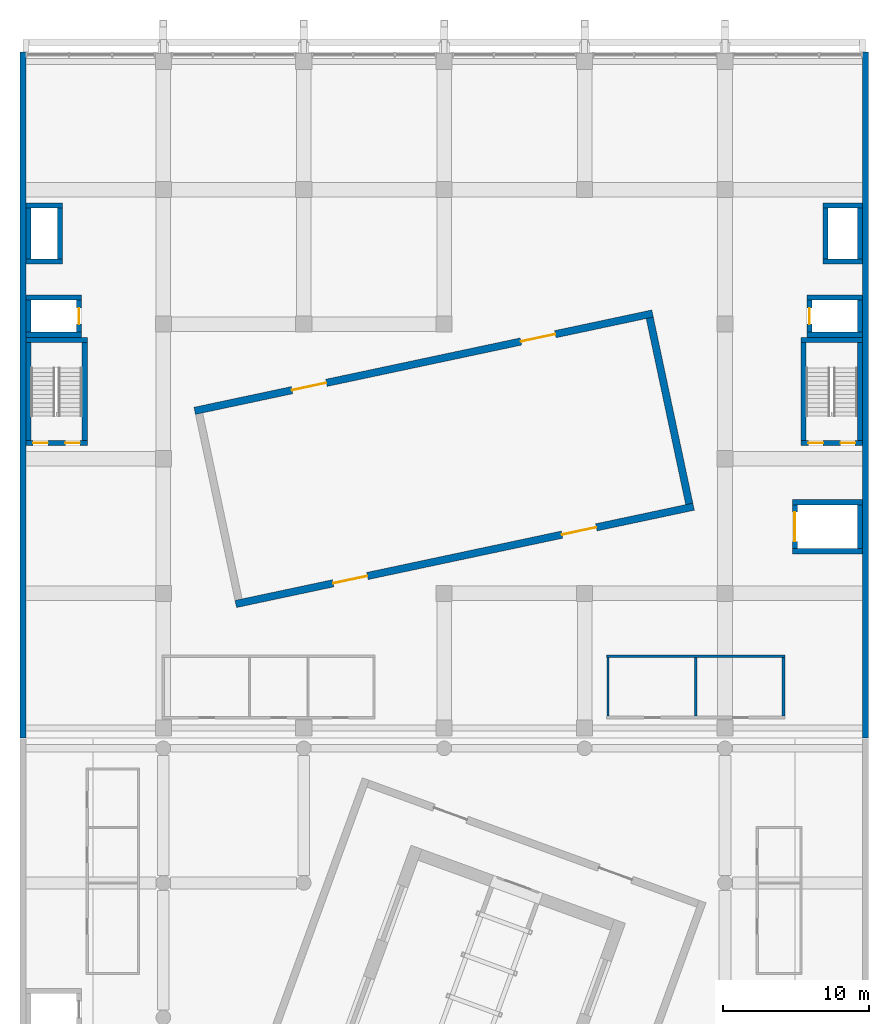
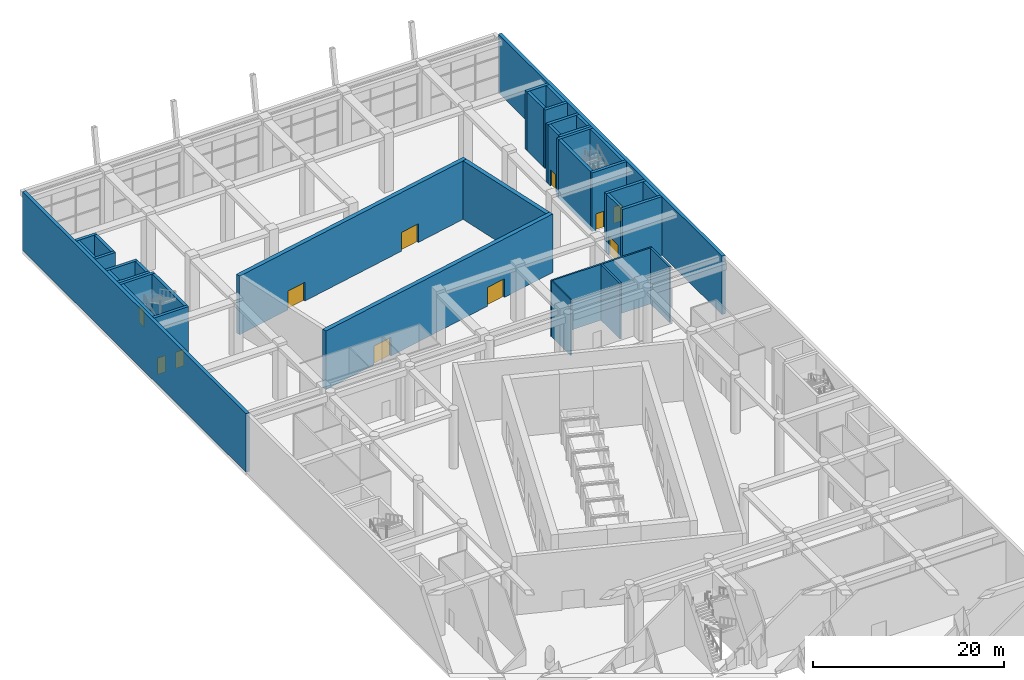
# One storey, part 19 of 36: 37 walls, 11 doors, 11 openings.
"""IFC4 building model written with IfcOpenShell, lengths in metres."""

from ifc_helpers import new_model, si_unit, direction, frame, frame_2d, origin, place, context, subcontext, project, spatial, rectangle, extrude, material, layer, layer_set, type_object, element, fill, save


model = new_model("IFC4")

# Units and contexts
model_context = context("Model", 3, precision=1e-05, world=origin(), true_north=direction((0.0, 1.0)))
body_context = subcontext(model_context, "Body", "Model", "MODEL_VIEW")
ifc_project = project(units=[si_unit("LENGTHUNIT", "METRE"), si_unit("AREAUNIT", "SQUARE_METRE"), si_unit("VOLUMEUNIT", "CUBIC_METRE"), si_unit("PLANEANGLEUNIT", "RADIAN"), si_unit("MASSUNIT", "GRAM", prefix="KILO")], contexts=[model_context])

# Site, building, storey
site_placement = place(None, origin())
site = spatial("IfcSite", under=ifc_project, at=site_placement, CompositionType="ELEMENT")
building_placement = place(site_placement, origin())
building = spatial("IfcBuilding", under=site, at=building_placement, Name="Nzadi Deep Aquarium and Research Tower", CompositionType="ELEMENT")
storey_placement = place(building_placement, frame((0.0, 0.0, 14.199951171875)))
storey = spatial("IfcBuildingStorey", under=building, at=storey_placement, Name="L02", CompositionType="ELEMENT", Elevation=14.199951171875)

# Walls
ifc_material_1 = material(Name="Blockwork masonry", Category="masonry")
ifc_layer_1 = layer(ifc_material_1, 0.14990234375)
ifc_layer_set_1 = layer_set([ifc_layer_1], Name="Blockwork masonry")
wall_type_1 = type_object("IfcWallType", Name="Partition 150 EI 60", PredefinedType="PARTITIONING", material=ifc_layer_set_1)
wall_1_placement = place(storey_placement, frame((40.0, 95.60009765625, 0.0), z_axis=(0.0, 0.0, 1.0), x_axis=(0.0, 1.0, 0.0)))
element("IfcWall", 1, at=wall_1_placement, inside=storey, type_object=wall_type_1, Name="W-Z3-L02-P009", PredefinedType="PARTITIONING", context=body_context, shape_type="SweptSolid", body=[
    extrude(rectangle(XDim=4.0, YDim=0.14990234375, at=frame_2d((2.0, 0.0))), origin(), (0.0, 0.0, 1.0), 7.150146484375),
])
ifc_material_2 = material(Name="Blockwork masonry", Category="masonry")
ifc_layer_2 = layer(ifc_material_2, 0.199951171875)
ifc_layer_set_2 = layer_set([ifc_layer_2], Name="Blockwork masonry")
wall_type_2 = type_object("IfcWallType", Name="Partition 200 EI 120", PredefinedType="PARTITIONING", material=ifc_layer_set_2)
wall_2_placement = place(storey_placement, frame((39.89990234375, 99.699951171875, 0.0), z_axis=(0.0, 0.0, 1.0), x_axis=(1.0, 0.0, 0.0)))
element("IfcWall", 2, at=wall_2_placement, inside=storey, type_object=wall_type_2, Name="W-Z3-L02-P008", PredefinedType="PARTITIONING", context=body_context, shape_type="SweptSolid", body=[
    extrude(rectangle(XDim=12.2001953125, YDim=0.199951171875, at=frame_2d((6.10009765625, 0.0))), origin(), (0.0, 0.0, 1.0), 7.150146484375),
])
for number, where, z_axis, x_axis, name in (
    (3, (46.0, 95.60009765625, 0.0), (0.0, 0.0, 1.0), (0.0, 1.0, 0.0), "W-Z3-L02-P010"),
    (4, (52.0, 95.60009765625, 0.0), (0.0, 0.0, 1.0), (0.0, 1.0, 0.0), "W-Z3-L02-P011"),
):
    element("IfcWall", number, at=place(storey_placement, frame(where, z_axis=z_axis, x_axis=x_axis)), inside=storey, type_object=wall_type_2, Name=name, PredefinedType="PARTITIONING", context=body_context, shape_type="SweptSolid", body=[
        extrude(rectangle(XDim=4.0, YDim=0.199951171875, at=frame_2d((2.0, 0.0))), origin(), (0.0, 0.0, 1.0), 7.150146484375),
    ])

# Wall, openings, doors
ifc_material_3 = material(Name="Concrete C35/45", Category="concrete")
ifc_layer_3 = layer(ifc_material_3, 0.35009765625)
ifc_layer_set_3 = layer_set([ifc_layer_3], Name="Concrete C35/45")
wall_type_3 = type_object("IfcWallType", Name="RC core wall 350, 7.50 to 7.70 m high", PredefinedType="SHEAR", material=ifc_layer_set_3)
wall_3_placement = place(storey_placement, frame((0.199951171875, 114.27490234375, 0.0), z_axis=(0.0, 0.0, 1.0), x_axis=(1.0, 0.0, 0.0)))
wall_3 = element("IfcWall", 5, at=wall_3_placement, inside=storey, type_object=wall_type_3, Name="W-CORE-ST-Z3-W-L02-S", PredefinedType="SHEAR", context=body_context, shape_type="SweptSolid", body=[
    extrude(rectangle(XDim=4.199951171875, YDim=0.35009765625, at=frame_2d((2.10009765625, 0.0))), origin(), (0.0, 0.0, 1.0), 7.5),
])
opening_1_placement = place(wall_3_placement, frame((0.5, 0.0, 0.0)))
opening_1 = element("IfcOpeningElement", 6, at=opening_1_placement, cuts=wall_3, Name="Opening DS-Z3-W-L02A", PredefinedType="OPENING", context=body_context, shape_type="SweptSolid", body=[
    extrude(rectangle(XDim=1.0, YDim=2.10009765625, at=frame_2d((0.5, 1.050048828125))), frame((0.0, 0.18505859375, 0.0), z_axis=(0.0, -1.0, 0.0), x_axis=(1.0, 0.0, 0.0)), (0.0, 0.0, 1.0), 0.3701171875),
])
opening_2_placement = place(wall_3_placement, frame((2.699951171875, 0.0, 0.0)))
opening_2 = element("IfcOpeningElement", 7, at=opening_2_placement, cuts=wall_3, Name="Opening DS-Z3-W-L02B", PredefinedType="OPENING", context=body_context, shape_type="SweptSolid", body=[
    extrude(rectangle(XDim=1.0, YDim=2.10009765625, at=frame_2d((0.5, 1.050048828125))), frame((0.0, 0.18505859375, 0.0), z_axis=(0.0, -1.0, 0.0), x_axis=(1.0, 0.0, 0.0)), (0.0, 0.0, 1.0), 0.3701171875),
])
ifc_material_4 = material(Name="Steel, powder coated", Category="steel")
door_type_1 = type_object("IfcDoorType", Name="STAIR DOOR 1000x2100 EI 60", OperationType="SINGLE_SWING_LEFT", PredefinedType="DOOR", material=ifc_material_4)
door_1_placement = place(opening_1_placement, origin())
door_1 = element("IfcDoor", 8, at=door_1_placement, inside=storey, type_object=door_type_1, Name="Stair door ST-Z3-W L02 A", OperationType="SINGLE_SWING_RIGHT", OverallHeight=2.10009765625, OverallWidth=1.0, PredefinedType="DOOR", context=body_context, shape_type="SweptSolid", body=[
    extrude(rectangle(XDim=1.0, YDim=2.10009765625, at=frame_2d((0.5, 1.050048828125))), frame((0.0, 0.02490234375, 0.0), z_axis=(0.0, -1.0, 0.0), x_axis=(1.0, 0.0, 0.0)), (0.0, 0.0, 1.0), 0.050048828125),
])
fill(opening_1, door_1)
door_2_placement = place(opening_2_placement, origin())
door_2 = element("IfcDoor", 9, at=door_2_placement, inside=storey, type_object=door_type_1, Name="Stair door ST-Z3-W L02 B", OperationType="SINGLE_SWING_LEFT", OverallHeight=2.10009765625, OverallWidth=1.0, PredefinedType="DOOR", context=body_context, shape_type="SweptSolid", body=[
    extrude(rectangle(XDim=1.0, YDim=2.10009765625, at=frame_2d((0.5, 1.050048828125))), frame((0.0, 0.02490234375, 0.0), z_axis=(0.0, -1.0, 0.0), x_axis=(1.0, 0.0, 0.0)), (0.0, 0.0, 1.0), 0.050048828125),
])
fill(opening_2, door_2)

# Walls
wall_4_placement = place(storey_placement, frame((0.199951171875, 121.324951171875, 0.0), z_axis=(0.0, 0.0, 1.0), x_axis=(1.0, 0.0, 0.0)))
element("IfcWall", 10, at=wall_4_placement, inside=storey, type_object=wall_type_3, Name="W-CORE-ST-Z3-W-L02-N", PredefinedType="SHEAR", context=body_context, shape_type="SweptSolid", body=[
    extrude(rectangle(XDim=4.199951171875, YDim=0.35009765625, at=frame_2d((2.10009765625, 0.0))), origin(), (0.0, 0.0, 1.0), 7.5),
])
for number, where, z_axis, x_axis, name in (
    (11, (0.375, 114.449951171875, 0.0), (0.0, 0.0, 1.0), (0.0, 1.0, 0.0), "W-CORE-ST-Z3-W-L02-W"),
    (12, (4.22509765625, 114.449951171875, 0.0), (0.0, 0.0, 1.0), (0.0, 1.0, 0.0), "W-CORE-ST-Z3-W-L02-E"),
):
    element("IfcWall", number, at=place(storey_placement, frame(where, z_axis=z_axis, x_axis=x_axis)), inside=storey, type_object=wall_type_3, Name=name, PredefinedType="SHEAR", context=body_context, shape_type="SweptSolid", body=[
        extrude(rectangle(XDim=6.699951171875, YDim=0.35009765625, at=frame_2d((3.35009765625, 0.0))), origin(), (0.0, 0.0, 1.0), 7.5),
    ])

# Wall, openings, doors
wall_5_placement = place(storey_placement, frame((53.199951171875, 114.27490234375, 0.0), z_axis=(0.0, 0.0, 1.0), x_axis=(1.0, 0.0, 0.0)))
wall_5 = element("IfcWall", 13, at=wall_5_placement, inside=storey, type_object=wall_type_3, Name="W-CORE-ST-Z3-E-L02-S", PredefinedType="SHEAR", context=body_context, shape_type="SweptSolid", body=[
    extrude(rectangle(XDim=4.199951171875, YDim=0.35009765625, at=frame_2d((2.10009765625, 0.0))), origin(), (0.0, 0.0, 1.0), 7.5),
])
opening_3_placement = place(wall_5_placement, frame((0.5, 0.0, 0.0)))
opening_3 = element("IfcOpeningElement", 14, at=opening_3_placement, cuts=wall_5, Name="Opening DS-Z3-E-L02A", PredefinedType="OPENING", context=body_context, shape_type="SweptSolid", body=[
    extrude(rectangle(XDim=1.0, YDim=2.10009765625, at=frame_2d((0.5, 1.050048828125))), frame((0.0, 0.18505859375, 0.0), z_axis=(0.0, -1.0, 0.0), x_axis=(1.0, 0.0, 0.0)), (0.0, 0.0, 1.0), 0.3701171875),
])
opening_4_placement = place(wall_5_placement, frame((2.699951171875, 0.0, 0.0)))
opening_4 = element("IfcOpeningElement", 15, at=opening_4_placement, cuts=wall_5, Name="Opening DS-Z3-E-L02B", PredefinedType="OPENING", context=body_context, shape_type="SweptSolid", body=[
    extrude(rectangle(XDim=1.0, YDim=2.10009765625, at=frame_2d((0.5, 1.050048828125))), frame((0.0, 0.18505859375, 0.0), z_axis=(0.0, -1.0, 0.0), x_axis=(1.0, 0.0, 0.0)), (0.0, 0.0, 1.0), 0.3701171875),
])
door_3_placement = place(opening_3_placement, origin())
door_3 = element("IfcDoor", 16, at=door_3_placement, inside=storey, type_object=door_type_1, Name="Stair door ST-Z3-E L02 A", OperationType="SINGLE_SWING_RIGHT", OverallHeight=2.10009765625, OverallWidth=1.0, PredefinedType="DOOR", context=body_context, shape_type="SweptSolid", body=[
    extrude(rectangle(XDim=1.0, YDim=2.10009765625, at=frame_2d((0.5, 1.050048828125))), frame((0.0, 0.02490234375, 0.0), z_axis=(0.0, -1.0, 0.0), x_axis=(1.0, 0.0, 0.0)), (0.0, 0.0, 1.0), 0.050048828125),
])
fill(opening_3, door_3)
door_4_placement = place(opening_4_placement, origin())
door_4 = element("IfcDoor", 17, at=door_4_placement, inside=storey, type_object=door_type_1, Name="Stair door ST-Z3-E L02 B", OperationType="SINGLE_SWING_LEFT", OverallHeight=2.10009765625, OverallWidth=1.0, PredefinedType="DOOR", context=body_context, shape_type="SweptSolid", body=[
    extrude(rectangle(XDim=1.0, YDim=2.10009765625, at=frame_2d((0.5, 1.050048828125))), frame((0.0, 0.02490234375, 0.0), z_axis=(0.0, -1.0, 0.0), x_axis=(1.0, 0.0, 0.0)), (0.0, 0.0, 1.0), 0.050048828125),
])
fill(opening_4, door_4)

# Walls
wall_6_placement = place(storey_placement, frame((53.199951171875, 121.324951171875, 0.0), z_axis=(0.0, 0.0, 1.0), x_axis=(1.0, 0.0, 0.0)))
element("IfcWall", 18, at=wall_6_placement, inside=storey, type_object=wall_type_3, Name="W-CORE-ST-Z3-E-L02-N", PredefinedType="SHEAR", context=body_context, shape_type="SweptSolid", body=[
    extrude(rectangle(XDim=4.199951171875, YDim=0.35009765625, at=frame_2d((2.10009765625, 0.0))), origin(), (0.0, 0.0, 1.0), 7.5),
])
for number, where, z_axis, x_axis, name in (
    (19, (53.375, 114.449951171875, 0.0), (0.0, 0.0, 1.0), (0.0, 1.0, 0.0), "W-CORE-ST-Z3-E-L02-W"),
    (20, (57.22509765625, 114.449951171875, 0.0), (0.0, 0.0, 1.0), (0.0, 1.0, 0.0), "W-CORE-ST-Z3-E-L02-E"),
):
    element("IfcWall", number, at=place(storey_placement, frame(where, z_axis=z_axis, x_axis=x_axis)), inside=storey, type_object=wall_type_3, Name=name, PredefinedType="SHEAR", context=body_context, shape_type="SweptSolid", body=[
        extrude(rectangle(XDim=6.699951171875, YDim=0.35009765625, at=frame_2d((3.35009765625, 0.0))), origin(), (0.0, 0.0, 1.0), 7.5),
    ])
for number, where, z_axis, x_axis, name in (
    (21, (0.199951171875, 121.675048828125, 0.0), (0.0, 0.0, 1.0), (1.0, 0.0, 0.0), "W-CORE-PL5-L02-S"),
    (22, (0.199951171875, 124.22509765625, 0.0), (0.0, 0.0, 1.0), (1.0, 0.0, 0.0), "W-CORE-PL5-L02-N"),
):
    element("IfcWall", number, at=place(storey_placement, frame(where, z_axis=z_axis, x_axis=x_axis)), inside=storey, type_object=wall_type_3, Name=name, PredefinedType="SHEAR", context=body_context, shape_type="SweptSolid", body=[
        extrude(rectangle(XDim=3.800048828125, YDim=0.35009765625, at=frame_2d((1.89990234375, 0.0))), origin(), (0.0, 0.0, 1.0), 7.5),
    ])
wall_7_placement = place(storey_placement, frame((0.375, 121.85009765625, 0.0), z_axis=(0.0, 0.0, 1.0), x_axis=(0.0, 1.0, 0.0)))
element("IfcWall", 23, at=wall_7_placement, inside=storey, type_object=wall_type_3, Name="W-CORE-PL5-L02-W", PredefinedType="SHEAR", context=body_context, shape_type="SweptSolid", body=[
    extrude(rectangle(XDim=2.199951171875, YDim=0.35009765625, at=frame_2d((1.10009765625, 0.0))), origin(), (0.0, 0.0, 1.0), 7.5),
])

# Wall, opening, door
wall_8_placement = place(storey_placement, frame((3.824951171875, 121.85009765625, 0.0), z_axis=(0.0, 0.0, 1.0), x_axis=(0.0, 1.0, 0.0)))
wall_8 = element("IfcWall", 24, at=wall_8_placement, inside=storey, type_object=wall_type_3, Name="W-CORE-PL5-L02-E", PredefinedType="SHEAR", context=body_context, shape_type="SweptSolid", body=[
    extrude(rectangle(XDim=2.199951171875, YDim=0.35009765625, at=frame_2d((1.10009765625, 0.0))), origin(), (0.0, 0.0, 1.0), 7.5),
])
opening_5_placement = place(wall_8_placement, frame((0.550048828125, 0.0, 0.0)))
opening_5 = element("IfcOpeningElement", 25, at=opening_5_placement, cuts=wall_8, Name="Opening LD-PL5-L02", PredefinedType="OPENING", context=body_context, shape_type="SweptSolid", body=[
    extrude(rectangle(XDim=1.10009765625, YDim=2.10009765625, at=frame_2d((0.550048828125, 1.050048828125))), frame((0.0, 0.18505859375, 0.0), z_axis=(0.0, -1.0, 0.0), x_axis=(1.0, 0.0, 0.0)), (0.0, 0.0, 1.0), 0.3701171875),
])
ifc_material_5 = material(Name="Stainless steel 1.4301", Category="steel")
door_type_2 = type_object("IfcDoorType", Name="LANDING DOOR 1100x2100", OperationType="DOUBLE_DOOR_SLIDING", PredefinedType="DOOR", material=ifc_material_5)
door_5_placement = place(opening_5_placement, origin())
door_5 = element("IfcDoor", 26, at=door_5_placement, inside=storey, type_object=door_type_2, Name="Landing door PL5 L02", OperationType="DOUBLE_DOOR_SLIDING", OverallHeight=2.10009765625, OverallWidth=1.10009765625, PredefinedType="DOOR", context=body_context, shape_type="SweptSolid", body=[
    extrude(rectangle(XDim=1.10009765625, YDim=2.10009765625, at=frame_2d((0.550048828125, 1.050048828125))), frame((0.0, 0.02490234375, 0.0), z_axis=(0.0, -1.0, 0.0), x_axis=(1.0, 0.0, 0.0)), (0.0, 0.0, 1.0), 0.050048828125),
])
fill(opening_5, door_5)

# Walls
for number, where, z_axis, x_axis, name in (
    (27, (53.60009765625, 121.675048828125, 0.0), (0.0, 0.0, 1.0), (1.0, 0.0, 0.0), "W-CORE-PL6-L02-S"),
    (28, (53.60009765625, 124.22509765625, 0.0), (0.0, 0.0, 1.0), (1.0, 0.0, 0.0), "W-CORE-PL6-L02-N"),
):
    element("IfcWall", number, at=place(storey_placement, frame(where, z_axis=z_axis, x_axis=x_axis)), inside=storey, type_object=wall_type_3, Name=name, PredefinedType="SHEAR", context=body_context, shape_type="SweptSolid", body=[
        extrude(rectangle(XDim=3.7998046875, YDim=0.35009765625, at=frame_2d((1.89990234375, 0.0))), origin(), (0.0, 0.0, 1.0), 7.5),
    ])

# Wall, opening, door
wall_9_placement = place(storey_placement, frame((53.77490234375, 121.85009765625, 0.0), z_axis=(0.0, 0.0, 1.0), x_axis=(0.0, 1.0, 0.0)))
wall_9 = element("IfcWall", 29, at=wall_9_placement, inside=storey, type_object=wall_type_3, Name="W-CORE-PL6-L02-W", PredefinedType="SHEAR", context=body_context, shape_type="SweptSolid", body=[
    extrude(rectangle(XDim=2.199951171875, YDim=0.35009765625, at=frame_2d((1.10009765625, 0.0))), origin(), (0.0, 0.0, 1.0), 7.5),
])
opening_6_placement = place(wall_9_placement, frame((0.550048828125, 0.0, 0.0)))
opening_6 = element("IfcOpeningElement", 30, at=opening_6_placement, cuts=wall_9, Name="Opening LD-PL6-L02", PredefinedType="OPENING", context=body_context, shape_type="SweptSolid", body=[
    extrude(rectangle(XDim=1.10009765625, YDim=2.10009765625, at=frame_2d((0.550048828125, 1.050048828125))), frame((0.0, 0.18505859375, 0.0), z_axis=(0.0, -1.0, 0.0), x_axis=(1.0, 0.0, 0.0)), (0.0, 0.0, 1.0), 0.3701171875),
])
door_6_placement = place(opening_6_placement, origin())
door_6 = element("IfcDoor", 31, at=door_6_placement, inside=storey, type_object=door_type_2, Name="Landing door PL6 L02", OperationType="DOUBLE_DOOR_SLIDING", OverallHeight=2.10009765625, OverallWidth=1.10009765625, PredefinedType="DOOR", context=body_context, shape_type="SweptSolid", body=[
    extrude(rectangle(XDim=1.10009765625, YDim=2.10009765625, at=frame_2d((0.550048828125, 1.050048828125))), frame((0.0, 0.02490234375, 0.0), z_axis=(0.0, -1.0, 0.0), x_axis=(1.0, 0.0, 0.0)), (0.0, 0.0, 1.0), 0.050048828125),
])
fill(opening_6, door_6)

# Walls
wall_10_placement = place(storey_placement, frame((57.22509765625, 121.85009765625, 0.0), z_axis=(0.0, 0.0, 1.0), x_axis=(0.0, 1.0, 0.0)))
element("IfcWall", 32, at=wall_10_placement, inside=storey, type_object=wall_type_3, Name="W-CORE-PL6-L02-E", PredefinedType="SHEAR", context=body_context, shape_type="SweptSolid", body=[
    extrude(rectangle(XDim=2.199951171875, YDim=0.35009765625, at=frame_2d((1.10009765625, 0.0))), origin(), (0.0, 0.0, 1.0), 7.5),
])
for number, where, z_axis, x_axis, name in (
    (33, (52.60009765625, 106.875, 0.0), (0.0, 0.0, 1.0), (1.0, 0.0, 0.0), "W-CORE-GL2-L02-S"),
    (34, (52.60009765625, 110.22509765625, 0.0), (0.0, 0.0, 1.0), (1.0, 0.0, 0.0), "W-CORE-GL2-L02-N"),
):
    element("IfcWall", number, at=place(storey_placement, frame(where, z_axis=z_axis, x_axis=x_axis)), inside=storey, type_object=wall_type_3, Name=name, PredefinedType="SHEAR", context=body_context, shape_type="SweptSolid", body=[
        extrude(rectangle(XDim=4.7998046875, YDim=0.35009765625, at=frame_2d((2.39990234375, 0.0))), origin(), (0.0, 0.0, 1.0), 7.5),
    ])

# Wall, opening, door
wall_11_placement = place(storey_placement, frame((52.77490234375, 107.050048828125, 0.0), z_axis=(0.0, 0.0, 1.0), x_axis=(0.0, 1.0, 0.0)))
wall_11 = element("IfcWall", 35, at=wall_11_placement, inside=storey, type_object=wall_type_3, Name="W-CORE-GL2-L02-W", PredefinedType="SHEAR", context=body_context, shape_type="SweptSolid", body=[
    extrude(rectangle(XDim=3.0, YDim=0.35009765625, at=frame_2d((1.5, 0.0))), origin(), (0.0, 0.0, 1.0), 7.5),
])
opening_7_placement = place(wall_11_placement, frame((0.5, 0.0, 0.0)))
opening_7 = element("IfcOpeningElement", 36, at=opening_7_placement, cuts=wall_11, Name="Opening LD-GL2-L02", PredefinedType="OPENING", context=body_context, shape_type="SweptSolid", body=[
    extrude(rectangle(XDim=2.0, YDim=2.39990234375, at=frame_2d((1.0, 1.199951171875))), frame((0.0, 0.18505859375, 0.0), z_axis=(0.0, -1.0, 0.0), x_axis=(1.0, 0.0, 0.0)), (0.0, 0.0, 1.0), 0.3701171875),
])
ifc_material_6 = material(Name="Stainless steel 1.4301", Category="steel")
door_type_3 = type_object("IfcDoorType", Name="LANDING DOOR 2000x2400", OperationType="DOUBLE_DOOR_SLIDING", PredefinedType="DOOR", material=ifc_material_6)
door_7_placement = place(opening_7_placement, origin())
door_7 = element("IfcDoor", 37, at=door_7_placement, inside=storey, type_object=door_type_3, Name="Landing door GL2 L02", OperationType="DOUBLE_DOOR_SLIDING", OverallHeight=2.39990234375, OverallWidth=2.0, PredefinedType="DOOR", context=body_context, shape_type="SweptSolid", body=[
    extrude(rectangle(XDim=2.0, YDim=2.39990234375, at=frame_2d((1.0, 1.199951171875))), frame((0.0, 0.02490234375, 0.0), z_axis=(0.0, -1.0, 0.0), x_axis=(1.0, 0.0, 0.0)), (0.0, 0.0, 1.0), 0.050048828125),
])
fill(opening_7, door_7)

# Walls
wall_12_placement = place(storey_placement, frame((57.22509765625, 107.050048828125, 0.0), z_axis=(0.0, 0.0, 1.0), x_axis=(0.0, 1.0, 0.0)))
element("IfcWall", 38, at=wall_12_placement, inside=storey, type_object=wall_type_3, Name="W-CORE-GL2-L02-E", PredefinedType="SHEAR", context=body_context, shape_type="SweptSolid", body=[
    extrude(rectangle(XDim=3.0, YDim=0.35009765625, at=frame_2d((1.5, 0.0))), origin(), (0.0, 0.0, 1.0), 7.5),
])
for number, where, z_axis, x_axis, name in (
    (39, (0.199951171875, 126.675048828125, 0.0), (0.0, 0.0, 1.0), (1.0, 0.0, 0.0), "W-CORE-RS-Z3-W-L02-S"),
    (40, (0.199951171875, 130.52490234375, 0.0), (0.0, 0.0, 1.0), (1.0, 0.0, 0.0), "W-CORE-RS-Z3-W-L02-N"),
):
    element("IfcWall", number, at=place(storey_placement, frame(where, z_axis=z_axis, x_axis=x_axis)), inside=storey, type_object=wall_type_3, Name=name, PredefinedType="SHEAR", context=body_context, shape_type="SweptSolid", body=[
        extrude(rectangle(XDim=2.5, YDim=0.35009765625, at=frame_2d((1.25, 0.0))), origin(), (0.0, 0.0, 1.0), 7.5),
    ])
for number, where, z_axis, x_axis, name in (
    (41, (0.375, 126.85009765625, 0.0), (0.0, 0.0, 1.0), (0.0, 1.0, 0.0), "W-CORE-RS-Z3-W-L02-W"),
    (42, (2.52490234375, 126.85009765625, 0.0), (0.0, 0.0, 1.0), (0.0, 1.0, 0.0), "W-CORE-RS-Z3-W-L02-E"),
):
    element("IfcWall", number, at=place(storey_placement, frame(where, z_axis=z_axis, x_axis=x_axis)), inside=storey, type_object=wall_type_3, Name=name, PredefinedType="SHEAR", context=body_context, shape_type="SweptSolid", body=[
        extrude(rectangle(XDim=3.5, YDim=0.35009765625, at=frame_2d((1.75, 0.0))), origin(), (0.0, 0.0, 1.0), 7.5),
    ])
for number, where, z_axis, x_axis, name in (
    (43, (54.699951171875, 126.675048828125, 0.0), (0.0, 0.0, 1.0), (1.0, 0.0, 0.0), "W-CORE-RS-Z3-E-L02-S"),
    (44, (54.699951171875, 130.52490234375, 0.0), (0.0, 0.0, 1.0), (1.0, 0.0, 0.0), "W-CORE-RS-Z3-E-L02-N"),
):
    element("IfcWall", number, at=place(storey_placement, frame(where, z_axis=z_axis, x_axis=x_axis)), inside=storey, type_object=wall_type_3, Name=name, PredefinedType="SHEAR", context=body_context, shape_type="SweptSolid", body=[
        extrude(rectangle(XDim=2.699951171875, YDim=0.35009765625, at=frame_2d((1.35009765625, 0.0))), origin(), (0.0, 0.0, 1.0), 7.5),
    ])
for number, where, z_axis, x_axis, name in (
    (45, (54.875, 126.85009765625, 0.0), (0.0, 0.0, 1.0), (0.0, 1.0, 0.0), "W-CORE-RS-Z3-E-L02-W"),
    (46, (57.22509765625, 126.85009765625, 0.0), (0.0, 0.0, 1.0), (0.0, 1.0, 0.0), "W-CORE-RS-Z3-E-L02-E"),
):
    element("IfcWall", number, at=place(storey_placement, frame(where, z_axis=z_axis, x_axis=x_axis)), inside=storey, type_object=wall_type_3, Name=name, PredefinedType="SHEAR", context=body_context, shape_type="SweptSolid", body=[
        extrude(rectangle(XDim=3.5, YDim=0.35009765625, at=frame_2d((1.75, 0.0))), origin(), (0.0, 0.0, 1.0), 7.5),
    ])

# Wall, openings, doors
ifc_material_7 = material(Name="Concrete C35/45", Category="concrete")
ifc_layer_4 = layer(ifc_material_7, 0.5)
ifc_layer_set_4 = layer_set([ifc_layer_4], Name="Concrete C35/45")
wall_type_4 = type_object("IfcWallType", Name="RC envelope wall 500", PredefinedType="SHEAR", material=ifc_layer_set_4)
wall_13_placement = place(storey_placement, frame((14.552978515625, 103.27099609375, 0.0), z_axis=(0.0, 0.0, 1.0), x_axis=(0.978148301511, 0.207908393895, 0.0)))
wall_13 = element("IfcWall", 47, at=wall_13_placement, inside=storey, type_object=wall_type_4, Name="W-BL-L02-S", PredefinedType="SHEAR", context=body_context, shape_type="SweptSolid", body=[
    extrude(rectangle(XDim=32.0, YDim=0.5, at=frame_2d((16.0, 0.0))), origin(), (0.0, 0.0, 1.0), 7.5),
])
opening_8_placement = place(wall_13_placement, frame((6.800048828125, 0.0, 0.0)))
opening_8 = element("IfcOpeningElement", 48, at=opening_8_placement, cuts=wall_13, Name="Opening D033006", PredefinedType="OPENING", context=body_context, shape_type="SweptSolid", body=[
    extrude(rectangle(XDim=2.39990234375, YDim=2.39990234375, at=frame_2d((1.199951171875, 1.199951171875))), frame((0.0, 0.260009765625, 0.0), z_axis=(0.0, -1.0, 0.0), x_axis=(1.0, 0.0, 0.0)), (0.0, 0.0, 1.0), 0.52001953125),
])
opening_9_placement = place(wall_13_placement, frame((22.800048828125, 0.0, 0.0)))
opening_9 = element("IfcOpeningElement", 49, at=opening_9_placement, cuts=wall_13, Name="Opening D033008", PredefinedType="OPENING", context=body_context, shape_type="SweptSolid", body=[
    extrude(rectangle(XDim=2.39990234375, YDim=2.39990234375, at=frame_2d((1.199951171875, 1.199951171875))), frame((0.0, 0.260009765625, 0.0), z_axis=(0.0, -1.0, 0.0), x_axis=(1.0, 0.0, 0.0)), (0.0, 0.0, 1.0), 0.52001953125),
])
ifc_material_8 = material(Name="Fire-rated steel door", Category="steel")
ifc_layer_5 = layer(ifc_material_8, 0.050048828125)
ifc_layer_set_5 = layer_set([ifc_layer_5], Name="Fire-rated steel door")
door_type_4 = type_object("IfcDoorType", Name="Door 2400x2400 EI 120 double", OperationType="DOUBLE_DOOR_SINGLE_SWING", PredefinedType="DOOR", material=ifc_layer_set_5)
door_8_placement = place(opening_8_placement, origin())
door_8 = element("IfcDoor", 50, at=door_8_placement, inside=storey, type_object=door_type_4, Name="D033006", OperationType="DOUBLE_DOOR_SINGLE_SWING", OverallHeight=2.39990234375, OverallWidth=2.39990234375, PredefinedType="DOOR", context=body_context, shape_type="SweptSolid", body=[
    extrude(rectangle(XDim=2.39990234375, YDim=2.39990234375, at=frame_2d((1.199951171875, 1.199951171875))), frame((0.0, 0.02490234375, 0.0), z_axis=(0.0, -1.0, 0.0), x_axis=(1.0, 0.0, 0.0)), (0.0, 0.0, 1.0), 0.050048828125),
])
fill(opening_8, door_8)
door_9_placement = place(opening_9_placement, origin())
door_9 = element("IfcDoor", 51, at=door_9_placement, inside=storey, type_object=door_type_4, Name="D033008", OperationType="DOUBLE_DOOR_SINGLE_SWING", OverallHeight=2.39990234375, OverallWidth=2.39990234375, PredefinedType="DOOR", context=body_context, shape_type="SweptSolid", body=[
    extrude(rectangle(XDim=2.39990234375, YDim=2.39990234375, at=frame_2d((1.199951171875, 1.199951171875))), frame((0.0, 0.02490234375, 0.0), z_axis=(0.0, -1.0, 0.0), x_axis=(1.0, 0.0, 0.0)), (0.0, 0.0, 1.0), 0.050048828125),
])
fill(opening_9, door_9)

wall_14_placement = place(storey_placement, frame((11.746337890625, 116.475830078125, 0.0), z_axis=(0.0, 0.0, 1.0), x_axis=(0.978146420121, 0.207917245089, 0.0)))
wall_14 = element("IfcWall", 52, at=wall_14_placement, inside=storey, type_object=wall_type_4, Name="W-BL-L02-N", PredefinedType="SHEAR", context=body_context, shape_type="SweptSolid", body=[
    extrude(rectangle(XDim=31.999755859375, YDim=0.5, at=frame_2d((16.0, 0.0))), origin(), (0.0, 0.0, 1.0), 7.5),
])
opening_10_placement = place(wall_14_placement, frame((6.800048828125, 0.0, 0.0)))
opening_10 = element("IfcOpeningElement", 53, at=opening_10_placement, cuts=wall_14, Name="Opening D033007", PredefinedType="OPENING", context=body_context, shape_type="SweptSolid", body=[
    extrude(rectangle(XDim=2.39990234375, YDim=2.39990234375, at=frame_2d((1.199951171875, 1.199951171875))), frame((0.0, 0.260009765625, 0.0), z_axis=(0.0, -1.0, 0.0), x_axis=(1.0, 0.0, 0.0)), (0.0, 0.0, 1.0), 0.52001953125),
])
opening_11_placement = place(wall_14_placement, frame((22.800048828125, 0.0, 0.0)))
opening_11 = element("IfcOpeningElement", 54, at=opening_11_placement, cuts=wall_14, Name="Opening D033009", PredefinedType="OPENING", context=body_context, shape_type="SweptSolid", body=[
    extrude(rectangle(XDim=2.39990234375, YDim=2.39990234375, at=frame_2d((1.199951171875, 1.199951171875))), frame((0.0, 0.260009765625, 0.0), z_axis=(0.0, -1.0, 0.0), x_axis=(1.0, 0.0, 0.0)), (0.0, 0.0, 1.0), 0.52001953125),
])
door_10_placement = place(opening_10_placement, origin())
door_10 = element("IfcDoor", 55, at=door_10_placement, inside=storey, type_object=door_type_4, Name="D033007", OperationType="DOUBLE_DOOR_SINGLE_SWING", OverallHeight=2.39990234375, OverallWidth=2.39990234375, PredefinedType="DOOR", context=body_context, shape_type="SweptSolid", body=[
    extrude(rectangle(XDim=2.39990234375, YDim=2.39990234375, at=frame_2d((1.199951171875, 1.199951171875))), frame((0.0, 0.02490234375, 0.0), z_axis=(0.0, -1.0, 0.0), x_axis=(1.0, 0.0, 0.0)), (0.0, 0.0, 1.0), 0.050048828125),
])
fill(opening_10, door_10)
door_11_placement = place(opening_11_placement, origin())
door_11 = element("IfcDoor", 56, at=door_11_placement, inside=storey, type_object=door_type_4, Name="D033009", OperationType="DOUBLE_DOOR_SINGLE_SWING", OverallHeight=2.39990234375, OverallWidth=2.39990234375, PredefinedType="DOOR", context=body_context, shape_type="SweptSolid", body=[
    extrude(rectangle(XDim=2.39990234375, YDim=2.39990234375, at=frame_2d((1.199951171875, 1.199951171875))), frame((0.0, 0.02490234375, 0.0), z_axis=(0.0, -1.0, 0.0), x_axis=(1.0, 0.0, 0.0)), (0.0, 0.0, 1.0), 0.050048828125),
])
fill(opening_11, door_11)

# Walls
wall_15_placement = place(storey_placement, frame((45.557373046875, 110.11669921875, 0.0), z_axis=(0.0, 0.0, 1.0), x_axis=(-0.207915357117, 0.978146821431, 0.0)))
element("IfcWall", 57, at=wall_15_placement, inside=storey, type_object=wall_type_4, Name="W-BL-L02-E", PredefinedType="SHEAR", context=body_context, shape_type="SweptSolid", body=[
    extrude(rectangle(XDim=13.0, YDim=0.5, at=frame_2d((6.5, 0.0))), origin(), (0.0, 0.0, 1.0), 7.5),
])
ifc_material_9 = material(Name="Concrete C35/45", Category="concrete")
ifc_layer_6 = layer(ifc_material_9, 0.39990234375)
ifc_layer_set_6 = layer_set([ifc_layer_6], Name="Concrete C35/45")
wall_type_5 = type_object("IfcWallType", Name="RC party wall 400, 7.50 to 7.70 m high", PredefinedType="SHEAR", material=ifc_layer_set_6)
for number, where, z_axis, x_axis, name in (
    (58, (0.00048828125, 94.1201171875, 0.0), (0.0, 0.0, 1.0), (0.0, 1.0, 0.0), "W-PTY-Z3-L02-W"),
    (59, (57.599609375, 94.1201171875, 0.0), (0.0, 0.0, 1.0), (0.0, 1.0, 0.0), "W-PTY-Z3-L02-E"),
):
    element("IfcWall", number, at=place(storey_placement, frame(where, z_axis=z_axis, x_axis=x_axis)), inside=storey, type_object=wall_type_5, Name=name, PredefinedType="SHEAR", context=body_context, shape_type="SweptSolid", body=[
        extrude(rectangle(XDim=46.8798828125, YDim=0.39990234375, at=frame_2d((23.43994140625, 0.0))), origin(), (0.0, 0.0, 1.0), 7.5),
    ])

save(model, "model.ifc")
